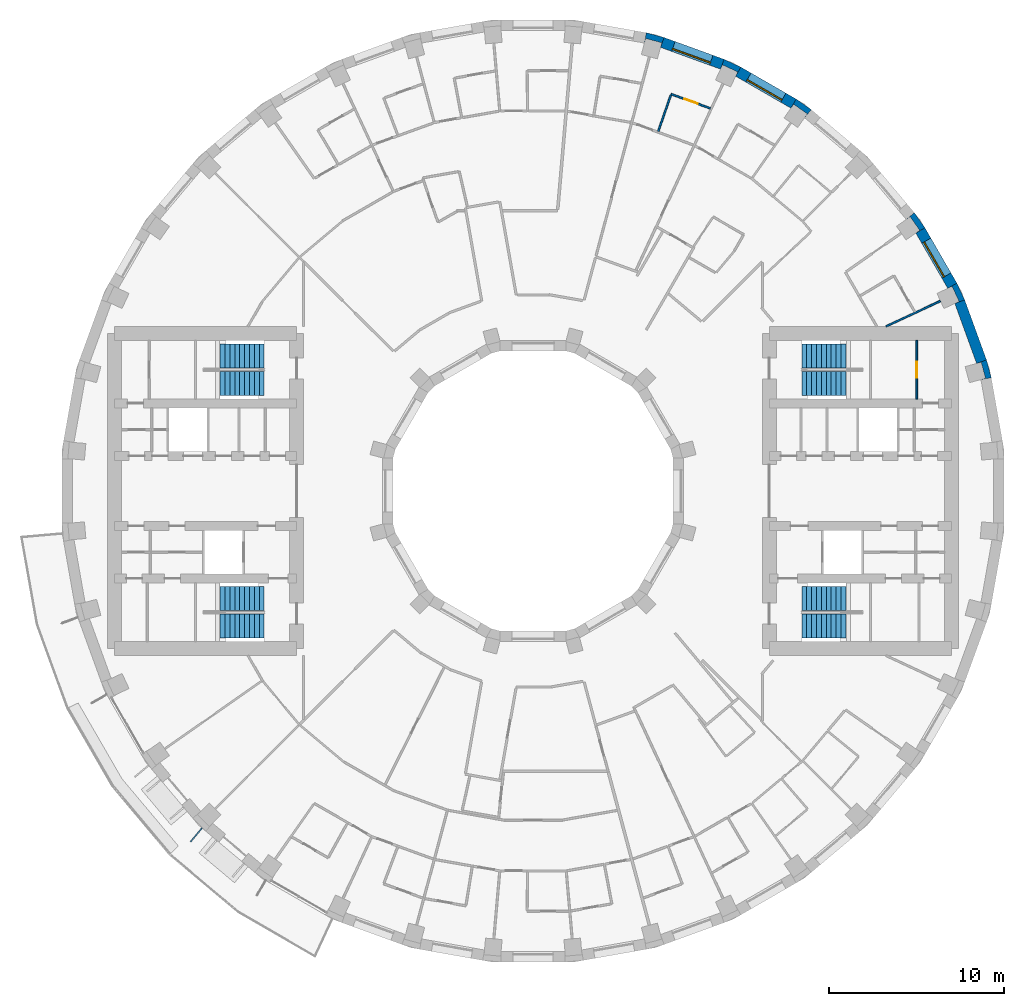
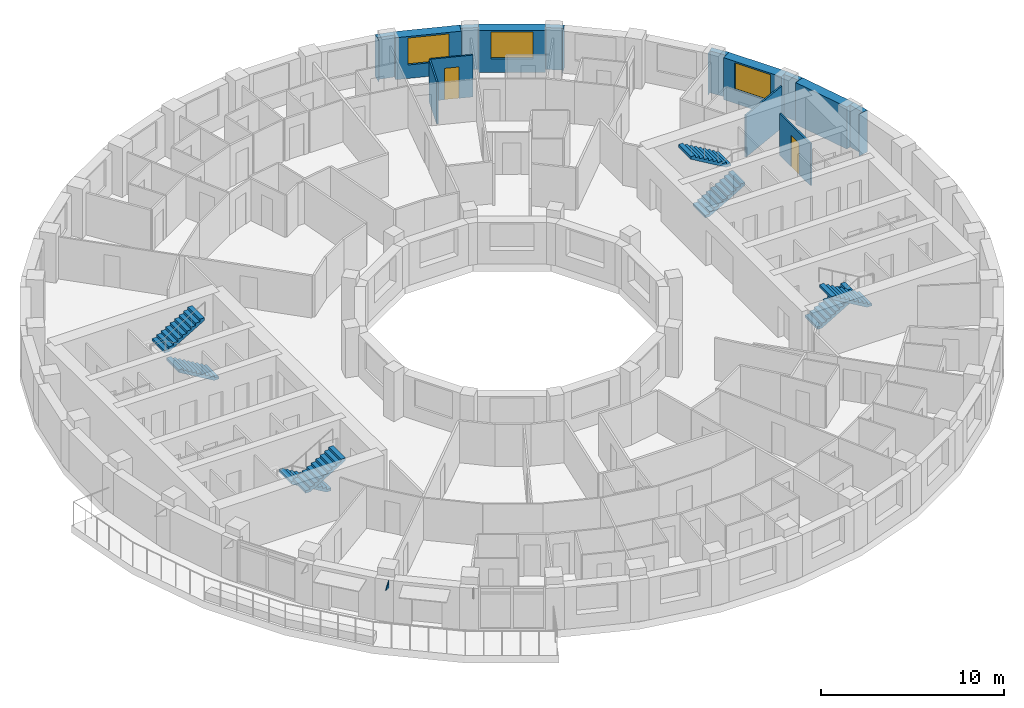
# One storey, part 14 of 16: 14 walls, 8 stair flights, 3 windows, 2 doors, 1 discrete accessory, 5 openings, 4 elements without a shape of their own.
"""IFC4 building model written with IfcOpenShell, lengths in metres."""

from ifc_helpers import new_model, si_unit, direction, frame, frame_2d, origin, place, context, subcontext, project, spatial, polyline, rectangle, outline, extrude, material, layer, layer_set, type_object, element, fill, aggregate, save


model = new_model("IFC4")

# Units and contexts
model_context = context("Model", 3, precision=1e-05, world=origin(), true_north=direction((0.0, 1.0)))
body_context = subcontext(model_context, "Body", "Model", "MODEL_VIEW")
ifc_project = project(units=[si_unit("LENGTHUNIT", "METRE"), si_unit("AREAUNIT", "SQUARE_METRE"), si_unit("VOLUMEUNIT", "CUBIC_METRE"), si_unit("PLANEANGLEUNIT", "RADIAN"), si_unit("MASSUNIT", "GRAM", prefix="KILO")], contexts=[model_context])

# Site, building, storey
site_placement = place(None, origin())
site = spatial("IfcSite", under=ifc_project, at=site_placement, CompositionType="ELEMENT")
building_placement = place(site_placement, origin())
building = spatial("IfcBuilding", under=site, at=building_placement, Name="Saqina Gate Tower", CompositionType="ELEMENT")
storey_placement = place(building_placement, frame((0.0, 0.0, 121.60009765625)))
storey = spatial("IfcBuildingStorey", under=building, at=storey_placement, Name="L34", CompositionType="ELEMENT", Elevation=121.60009765625)

# Walls
ifc_material_1 = material(Name="Brick masonry (buff)", Category="masonry")
wall_type_1 = type_object("IfcWallType", Name="BRICK PIER COPING BUFF", PredefinedType="SOLIDWALL", material=ifc_material_1)
wall_1_placement = place(storey_placement, origin())
element("IfcWall", 1, at=wall_1_placement, inside=storey, type_object=wall_type_1, Name="Pier cap L34 column 2", PredefinedType="SOLIDWALL", context=body_context, shape_type="SweptSolid", body=[
    extrude(outline(polyline([(26.171875, 6.466796875), (25.89892578125, 7.485595703125), (25.335205078125, 7.2802734375), (25.5947265625, 7.349853515625), (25.8408203125, 6.43212890625), (25.5810546875, 6.36279296875), (26.171875, 6.466796875)])), origin(), (0.0, 0.0, 1.0), 2.7998046875),
])
wall_2_placement = place(storey_placement, origin())
element("IfcWall", 2, at=wall_2_placement, inside=storey, type_object=wall_type_1, Name="Pier cap L34 column 3", PredefinedType="SOLIDWALL", context=body_context, shape_type="SweptSolid", body=[
    extrude(outline(polyline([(24.6513671875, 10.913330078125), (24.205810546875, 11.869140625), (23.68603515625, 11.569091796875), (23.9296875, 11.6826171875), (24.331298828125, 10.82177734375), (24.08740234375, 10.7080078125), (24.6513671875, 10.913330078125)])), origin(), (0.0, 0.0, 1.0), 2.7998046875),
])
wall_3_placement = place(storey_placement, origin())
element("IfcWall", 3, at=wall_3_placement, inside=storey, type_object=wall_type_1, Name="Pier cap L34 column 4", PredefinedType="SOLIDWALL", context=body_context, shape_type="SweptSolid", body=[
    extrude(outline(polyline([(21.77685546875, 15.89208984375), (21.317138671875, 15.50634765625), (21.53759765625, 15.66064453125), (22.08251953125, 14.88232421875), (21.862060546875, 14.728271484375), (22.3818359375, 15.0283203125), (21.77685546875, 15.89208984375)])), origin(), (0.0, 0.0, 1.0), 2.7998046875),
])
wall_4_placement = place(storey_placement, origin())
element("IfcWall", 4, at=wall_4_placement, inside=storey, type_object=wall_type_1, Name="Pier cap L34 column 6", PredefinedType="SOLIDWALL", context=body_context, shape_type="SweptSolid", body=[
    extrude(outline(polyline([(15.0283203125, 22.3818359375), (14.728271484375, 21.862060546875), (14.88232421875, 22.08251953125), (15.66064453125, 21.53759765625), (15.50634765625, 21.317138671875), (15.89208984375, 21.77685546875), (15.0283203125, 22.3818359375)])), origin(), (0.0, 0.0, 1.0), 2.7998046875),
])
wall_5_placement = place(storey_placement, origin())
element("IfcWall", 5, at=wall_5_placement, inside=storey, type_object=wall_type_1, Name="Pier cap L34 column 7", PredefinedType="SOLIDWALL", context=body_context, shape_type="SweptSolid", body=[
    extrude(outline(polyline([(10.913330078125, 24.6513671875), (10.7080078125, 24.08740234375), (10.82177734375, 24.331298828125), (11.6826171875, 23.9296875), (11.569091796875, 23.68603515625), (11.869140625, 24.205810546875), (10.913330078125, 24.6513671875)])), origin(), (0.0, 0.0, 1.0), 2.7998046875),
])
wall_6_placement = place(storey_placement, origin())
element("IfcWall", 6, at=wall_6_placement, inside=storey, type_object=wall_type_1, Name="Pier cap L34 column 8", PredefinedType="SOLIDWALL", context=body_context, shape_type="SweptSolid", body=[
    extrude(outline(polyline([(7.485595703125, 25.89892578125), (6.466796875, 26.171875), (6.36279296875, 25.5810546875), (6.43212890625, 25.8408203125), (7.349853515625, 25.5947265625), (7.2802734375, 25.335205078125), (7.485595703125, 25.89892578125)])), origin(), (0.0, 0.0, 1.0), 2.7998046875),
])

# Wall, opening, door
ifc_material_2 = material(Name="Gypsum board on steel studs", Category="steel")
ifc_layer_1 = layer(ifc_material_2, 0.10009765625)
ifc_layer_set_1 = layer_set([ifc_layer_1], Name="CORE PARTITION")
wall_type_2 = type_object("IfcWallType", Name="CORE PARTITION", PredefinedType="PARTITIONING", material=ifc_layer_set_1)
wall_7_placement = place(storey_placement, frame((21.91162109375, 5.25, 0.0), z_axis=(0.0, 0.0, 1.0), x_axis=(0.0, 1.0, 0.0)))
wall_7 = element("IfcWall", 7, at=wall_7_placement, inside=storey, type_object=wall_type_2, Name="L34-CP-E14", PredefinedType="PARTITIONING", context=body_context, shape_type="SweptSolid", body=[
    extrude(rectangle(XDim=3.35009765625, YDim=0.10009765625, at=frame_2d((1.675048828125, 0.0))), origin(), (0.0, 0.0, 1.0), 2.7998046875),
])
opening_1_placement = place(wall_7_placement, frame((1.22509765625, 0.0, 0.0)))
opening_1 = element("IfcOpeningElement", 8, at=opening_1_placement, cuts=wall_7, Name="Opening G10-D100", PredefinedType="OPENING", context=body_context, shape_type="SweptSolid", body=[
    extrude(rectangle(XDim=0.89990234375, YDim=2.10009765625, at=frame_2d((0.449951171875, 1.050048828125))), frame((0.0, 0.06201171875, 0.0), z_axis=(0.0, -1.0, 0.0), x_axis=(1.0, 0.0, 0.0)), (0.0, 0.0, 1.0), 0.1240234375),
])
ifc_material_3 = material(Name="Steel-framed fire door leaf, EI 60", Category="steel")
door_type_1 = type_object("IfcDoorType", Name="SERVICE ROOM DOOR 900", OperationType="SINGLE_SWING_LEFT", PredefinedType="DOOR", material=ifc_material_3)
door_1_placement = place(opening_1_placement, origin())
door_1 = element("IfcDoor", 9, at=door_1_placement, inside=storey, type_object=door_type_1, Name="L34-CD-E11", OperationType="SINGLE_SWING_RIGHT", OverallHeight=2.10009765625, OverallWidth=0.89990234375, PredefinedType="DOOR", context=body_context, shape_type="SweptSolid", body=[
    extrude(rectangle(XDim=0.89990234375, YDim=2.10009765625, at=frame_2d((0.449951171875, 1.050048828125))), frame((0.0, 0.02490234375, 0.0), z_axis=(0.0, -1.0, 0.0), x_axis=(1.0, 0.0, 0.0)), (0.0, 0.0, 1.0), 0.050048828125),
])
fill(opening_1, door_1)

# Wall, opening, window
ifc_material_4 = material(Name="Brick masonry (buff)", Category="masonry")
ifc_layer_2 = layer(ifc_material_4, 0.60009765625)
ifc_layer_set_2 = layer_set([ifc_layer_2], Name="FW-BRICK-BUFF")
wall_type_3 = type_object("IfcWallType", Name="FW-BRICK-BUFF", PredefinedType="SOLIDWALL", material=ifc_layer_set_2)
wall_8_placement = place(storey_placement, frame((23.94580078125, 11.718994140625, 0.0), z_axis=(0.0, 0.0, 1.0), x_axis=(-0.499954196102, 0.866051847062, 0.0)))
wall_8 = element("IfcWall", 10, at=wall_8_placement, inside=storey, type_object=wall_type_3, Name="Facade wall L34 facet 3", PredefinedType="SOLIDWALL", context=body_context, shape_type="SweptSolid", body=[
    extrude(rectangle(XDim=3.647705078125, YDim=0.60009765625, at=frame_2d((1.82373046875, 0.0))), origin(), (0.0, 0.0, 1.0), 2.7998046875),
])
opening_2_placement = place(wall_8_placement, frame((0.673828125, 0.0, 0.89990234375)))
opening_2 = element("IfcOpeningElement", 11, at=opening_2_placement, cuts=wall_8, Name="Opening G10-W01", PredefinedType="OPENING", context=body_context, shape_type="SweptSolid", body=[
    extrude(rectangle(XDim=2.300048828125, YDim=1.800048828125, at=frame_2d((1.14990234375, 0.89990234375))), frame((0.0, 0.31201171875, 0.0), z_axis=(0.0, -1.0, 0.0), x_axis=(1.0, 0.0, 0.0)), (0.0, 0.0, 1.0), 0.6240234375),
])
ifc_material_5 = material(Name="Aluminium glazing", Category="aluminium")
window_type = type_object("IfcWindowType", Name="WN-B", PartitioningType="SINGLE_PANEL", PredefinedType="WINDOW", material=ifc_material_5)
window_1_placement = place(opening_2_placement, origin())
window_1 = element("IfcWindow", 12, at=window_1_placement, inside=storey, type_object=window_type, Name="Window L34 facet 3", OverallHeight=1.800048828125, OverallWidth=2.300048828125, PartitioningType="SINGLE_PANEL", PredefinedType="WINDOW", context=body_context, shape_type="SweptSolid", body=[
    extrude(rectangle(XDim=2.300048828125, YDim=1.800048828125, at=frame_2d((1.14990234375, 0.89990234375))), frame((0.0, 0.179931640625, 0.0), z_axis=(0.0, -1.0, 0.0), x_axis=(1.0, 0.0, 0.0)), (0.0, 0.0, 1.0), 0.06005859375),
])
fill(opening_2, window_1)

wall_9_placement = place(storey_placement, frame((14.878173828125, 22.1220703125, 0.0), z_axis=(0.0, 0.0, 1.0), x_axis=(-0.866051847062, 0.499954196102, 0.0)))
wall_9 = element("IfcWall", 13, at=wall_9_placement, inside=storey, type_object=wall_type_3, Name="Facade wall L34 facet 6", PredefinedType="SOLIDWALL", context=body_context, shape_type="SweptSolid", body=[
    extrude(rectangle(XDim=3.647705078125, YDim=0.60009765625, at=frame_2d((1.82373046875, 0.0))), origin(), (0.0, 0.0, 1.0), 2.7998046875),
])
opening_3_placement = place(wall_9_placement, frame((0.673828125, 0.0, 0.89990234375)))
opening_3 = element("IfcOpeningElement", 14, at=opening_3_placement, cuts=wall_9, Name="Opening G10-W04", PredefinedType="OPENING", context=body_context, shape_type="SweptSolid", body=[
    extrude(rectangle(XDim=2.300048828125, YDim=1.800048828125, at=frame_2d((1.14990234375, 0.89990234375))), frame((0.0, 0.31201171875, 0.0), z_axis=(0.0, -1.0, 0.0), x_axis=(1.0, 0.0, 0.0)), (0.0, 0.0, 1.0), 0.6240234375),
])
window_2_placement = place(opening_3_placement, origin())
window_2 = element("IfcWindow", 15, at=window_2_placement, inside=storey, type_object=window_type, Name="Window L34 facet 6", OverallHeight=1.800048828125, OverallWidth=2.300048828125, PartitioningType="SINGLE_PANEL", PredefinedType="WINDOW", context=body_context, shape_type="SweptSolid", body=[
    extrude(rectangle(XDim=2.300048828125, YDim=1.800048828125, at=frame_2d((1.14990234375, 0.89990234375))), frame((0.0, 0.179931640625, 0.0), z_axis=(0.0, -1.0, 0.0), x_axis=(1.0, 0.0, 0.0)), (0.0, 0.0, 1.0), 0.06005859375),
])
fill(opening_3, window_2)

wall_10_placement = place(storey_placement, frame((10.810791015625, 24.369384765625, 0.0), z_axis=(0.0, 0.0, 1.0), x_axis=(-0.939703505393, 0.341990236633, 0.0)))
wall_10 = element("IfcWall", 16, at=wall_10_placement, inside=storey, type_object=wall_type_3, Name="Facade wall L34 facet 7", PredefinedType="SOLIDWALL", context=body_context, shape_type="SweptSolid", body=[
    extrude(rectangle(XDim=3.64794921875, YDim=0.60009765625, at=frame_2d((1.823974609375, 0.0))), origin(), (0.0, 0.0, 1.0), 2.7998046875),
])
opening_4_placement = place(wall_10_placement, frame((0.673828125, 0.0, 0.89990234375)))
opening_4 = element("IfcOpeningElement", 17, at=opening_4_placement, cuts=wall_10, Name="Opening G10-W05", PredefinedType="OPENING", context=body_context, shape_type="SweptSolid", body=[
    extrude(rectangle(XDim=2.300048828125, YDim=1.800048828125, at=frame_2d((1.14990234375, 0.89990234375))), frame((0.0, 0.31201171875, 0.0), z_axis=(0.0, -1.0, 0.0), x_axis=(1.0, 0.0, 0.0)), (0.0, 0.0, 1.0), 0.6240234375),
])
window_3_placement = place(opening_4_placement, origin())
window_3 = element("IfcWindow", 18, at=window_3_placement, inside=storey, type_object=window_type, Name="Window L34 facet 7", OverallHeight=1.800048828125, OverallWidth=2.300048828125, PartitioningType="SINGLE_PANEL", PredefinedType="WINDOW", context=body_context, shape_type="SweptSolid", body=[
    extrude(rectangle(XDim=2.300048828125, YDim=1.800048828125, at=frame_2d((1.14990234375, 0.89990234375))), frame((0.0, 0.179931640625, 0.0), z_axis=(0.0, -1.0, 0.0), x_axis=(1.0, 0.0, 0.0)), (0.0, 0.0, 1.0), 0.06005859375),
])
fill(opening_4, window_3)

# Wall
ifc_material_6 = material(Name="Glazed ceramic tile (white)", Category="ceramic")
ifc_layer_3 = layer(ifc_material_6, 0.60009765625)
ifc_layer_set_3 = layer_set([ifc_layer_3], Name="FW-TILE-WH")
wall_type_4 = type_object("IfcWallType", Name="FW-TILE-WH", PredefinedType="SOLIDWALL", material=ifc_layer_set_3)
wall_11_placement = place(storey_placement, frame((25.616943359375, 7.3828125, 0.0), z_axis=(0.0, 0.0, 1.0), x_axis=(-0.341990236633, 0.939703505393, 0.0)))
element("IfcWall", 19, at=wall_11_placement, inside=storey, type_object=wall_type_4, Name="Facade wall L34 facet 2", PredefinedType="SOLIDWALL", context=body_context, shape_type="SweptSolid", body=[
    extrude(rectangle(XDim=3.64794921875, YDim=0.60009765625, at=frame_2d((1.823974609375, 0.0))), origin(), (0.0, 0.0, 1.0), 2.7998046875),
])

# Wall, opening, door
ifc_material_7 = material(Name="Gypsum board on steel studs, 100 mm", Category="steel")
ifc_layer_4 = layer(ifc_material_7, 0.10009765625)
ifc_layer_set_4 = layer_set([ifc_layer_4], Name="PARTITION 100")
wall_type_5 = type_object("IfcWallType", Name="PARTITION 100", PredefinedType="PARTITIONING", material=ifc_layer_set_4)
wall_12_placement = place(storey_placement, frame((7.888916015625, 22.666015625, 0.0), z_axis=(0.0, 0.0, 1.0), x_axis=(0.939679950861, -0.342054951652, 0.0)))
wall_12 = element("IfcWall", 20, at=wall_12_placement, inside=storey, type_object=wall_type_5, Name="PARTITION PW3-44", PredefinedType="PARTITIONING", context=body_context, shape_type="SweptSolid", body=[
    extrude(rectangle(XDim=2.38818359375, YDim=0.10009765625, at=frame_2d((1.194091796875, 0.0))), origin(), (0.0, 0.0, 1.0), 2.7998046875),
])
opening_5_placement = place(wall_12_placement, frame((0.819091796875, 0.0, 0.0)))
opening_5 = element("IfcOpeningElement", 21, at=opening_5_placement, cuts=wall_12, Name="Opening G10-D11", PredefinedType="OPENING", context=body_context, shape_type="SweptSolid", body=[
    extrude(rectangle(XDim=0.800048828125, YDim=2.10009765625, at=frame_2d((0.39990234375, 1.050048828125))), frame((0.0, 0.06201171875, 0.0), z_axis=(0.0, -1.0, 0.0), x_axis=(1.0, 0.0, 0.0)), (0.0, 0.0, 1.0), 0.1240234375),
])
ifc_material_8 = material(Name="Timber door leaf, 800 mm", Category="wood")
door_type_2 = type_object("IfcDoorType", Name="DOOR 800 TIMBER", OperationType="SINGLE_SWING_LEFT", PredefinedType="DOOR", material=ifc_material_8)
door_2_placement = place(opening_5_placement, origin())
door_2 = element("IfcDoor", 22, at=door_2_placement, inside=storey, type_object=door_type_2, Name="DOOR G10-D11", OperationType="SINGLE_SWING_RIGHT", OverallHeight=2.10009765625, OverallWidth=0.800048828125, PredefinedType="DOOR", context=body_context, shape_type="SweptSolid", body=[
    extrude(rectangle(XDim=0.800048828125, YDim=2.10009765625, at=frame_2d((0.39990234375, 1.050048828125))), frame((0.0, 0.02490234375, 0.0), z_axis=(0.0, -1.0, 0.0), x_axis=(1.0, 0.0, 0.0)), (0.0, 0.0, 1.0), 0.050048828125),
])
fill(opening_5, door_2)

# Walls
wall_13_placement = place(storey_placement, frame((20.158447265625, 9.399169921875, 0.0), z_axis=(0.0, 0.0, 1.0), x_axis=(0.906223222272, 0.422799564114, 0.0)))
element("IfcWall", 23, at=wall_13_placement, inside=storey, type_object=wall_type_5, Name="PARTITION PW3-68", PredefinedType="PARTITIONING", context=body_context, shape_type="SweptSolid", body=[
    extrude(rectangle(XDim=3.423095703125, YDim=0.10009765625, at=frame_2d((1.71142578125, 0.0))), origin(), (0.0, 0.0, 1.0), 2.7998046875),
])
wall_14_placement = place(storey_placement, frame((7.1494140625, 20.541259765625, 0.0), z_axis=(0.0, 0.0, 1.0), x_axis=(0.328718620018, 0.944427905588, 0.0)))
element("IfcWall", 24, at=wall_14_placement, inside=storey, type_object=wall_type_5, Name="PARTITION PW3-100", PredefinedType="PARTITIONING", context=body_context, shape_type="SweptSolid", body=[
    extrude(rectangle(XDim=2.199951171875, YDim=0.10009765625, at=frame_2d((1.10009765625, 0.0))), origin(), (0.0, 0.0, 1.0), 2.7998046875),
])

# Stair, stair flights
ifc_material_9 = material(Name="Concrete C40/50", Category="concrete")
stair_type = type_object("IfcStairType", Name="EXIT STAIR", PredefinedType="HALF_TURN_STAIR", material=ifc_material_9)
stair_1_placement = place(storey_placement, origin())
stair_1 = element("IfcStair", 25, at=stair_1_placement, inside=storey, type_object=stair_type, Name="EXIT STAIR 1", PredefinedType="HALF_TURN_STAIR")
ifc_material_10 = material(Name="Concrete C40/50", Category="concrete")
stair_flight_type = type_object("IfcStairFlightType", Name="EXIT STAIR FLIGHT", PredefinedType="STRAIGHT", material=ifc_material_10)
stair_flight_1_placement = place(storey_placement, frame((15.35009765625, 6.1416015625, 0.0), z_axis=(0.0, 0.0, 1.0), x_axis=(1.0, 0.0, 0.0)))
stair_flight_1 = element("IfcStairFlight", 26, at=stair_flight_1_placement, type_object=stair_flight_type, Name="EXIT STAIR 1 FLIGHT 1", NumberOfRisers=10, NumberOfTreads=9, PredefinedType="STRAIGHT", RiserHeight=0.165, TreadLength=0.28, context=body_context, shape_type="SweptSolid", body=[
    extrude(outline(polyline([(0.0, 0.0), (0.0, 0.1650390625), (0.280029296875, 0.1650390625), (0.280029296875, 0.330078125), (0.56005859375, 0.330078125), (0.56005859375, 0.4951171875), (0.840087890625, 0.4951171875), (0.840087890625, 0.659912109375), (1.1201171875, 0.659912109375), (1.1201171875, 0.824951171875), (1.39990234375, 0.824951171875), (1.39990234375, 0.989990234375), (1.679931640625, 0.989990234375), (1.679931640625, 1.155029296875), (1.9599609375, 1.155029296875), (1.9599609375, 1.320068359375), (2.239990234375, 1.320068359375), (2.239990234375, 1.485107421875), (2.52001953125, 1.485107421875), (2.52001953125, 1.64990234375), (2.52001953125, 1.31103515625), (0.295166015625, 0.0), (0.0, 0.0)])), frame((0.0, 0.675048828125, 0.0), z_axis=(0.0, -1.0, 0.0), x_axis=(1.0, 0.0, 0.0)), (0.0, 0.0, 1.0), 1.35009765625),
])
stair_flight_2_placement = place(storey_placement, frame((17.8701171875, 7.708251953125, 1.64990234375), z_axis=(0.0, 0.0, 1.0), x_axis=(-1.0, 0.0, 0.0)))
stair_flight_2 = element("IfcStairFlight", 27, at=stair_flight_2_placement, type_object=stair_flight_type, Name="EXIT STAIR 1 FLIGHT 2", NumberOfRisers=10, NumberOfTreads=9, PredefinedType="STRAIGHT", RiserHeight=0.165, TreadLength=0.28, context=body_context, shape_type="SweptSolid", body=[
    extrude(outline(polyline([(0.0, 0.0), (0.0, 0.1650390625), (0.280029296875, 0.1650390625), (0.280029296875, 0.330078125), (0.56005859375, 0.330078125), (0.56005859375, 0.4951171875), (0.840087890625, 0.4951171875), (0.840087890625, 0.659912109375), (1.1201171875, 0.659912109375), (1.1201171875, 0.824951171875), (1.39990234375, 0.824951171875), (1.39990234375, 0.989990234375), (1.679931640625, 0.989990234375), (1.679931640625, 1.155029296875), (1.9599609375, 1.155029296875), (1.9599609375, 1.320068359375), (2.239990234375, 1.320068359375), (2.239990234375, 1.485107421875), (2.52001953125, 1.485107421875), (2.52001953125, 1.64990234375), (2.52001953125, 1.31103515625), (0.295166015625, 0.0), (0.0, 0.0)])), frame((0.0, 0.675048828125, 0.0), z_axis=(0.0, -1.0, 0.0), x_axis=(1.0, 0.0, 0.0)), (0.0, 0.0, 1.0), 1.35009765625),
])
aggregate(stair_1, [stair_flight_1, stair_flight_2])

stair_2_placement = place(storey_placement, origin())
stair_2 = element("IfcStair", 28, at=stair_2_placement, inside=storey, type_object=stair_type, Name="EXIT STAIR 2", PredefinedType="HALF_TURN_STAIR")
stair_flight_3_placement = place(storey_placement, frame((15.35009765625, -6.1416015625, 0.0), z_axis=(0.0, 0.0, 1.0), x_axis=(1.0, 0.0, 0.0)))
stair_flight_3 = element("IfcStairFlight", 29, at=stair_flight_3_placement, type_object=stair_flight_type, Name="EXIT STAIR 2 FLIGHT 1", NumberOfRisers=10, NumberOfTreads=9, PredefinedType="STRAIGHT", RiserHeight=0.165, TreadLength=0.28, context=body_context, shape_type="SweptSolid", body=[
    extrude(outline(polyline([(0.0, 0.0), (0.0, 0.1650390625), (0.280029296875, 0.1650390625), (0.280029296875, 0.330078125), (0.56005859375, 0.330078125), (0.56005859375, 0.4951171875), (0.840087890625, 0.4951171875), (0.840087890625, 0.659912109375), (1.1201171875, 0.659912109375), (1.1201171875, 0.824951171875), (1.39990234375, 0.824951171875), (1.39990234375, 0.989990234375), (1.679931640625, 0.989990234375), (1.679931640625, 1.155029296875), (1.9599609375, 1.155029296875), (1.9599609375, 1.320068359375), (2.239990234375, 1.320068359375), (2.239990234375, 1.485107421875), (2.52001953125, 1.485107421875), (2.52001953125, 1.64990234375), (2.52001953125, 1.31103515625), (0.295166015625, 0.0), (0.0, 0.0)])), frame((0.0, 0.675048828125, 0.0), z_axis=(0.0, -1.0, 0.0), x_axis=(1.0, 0.0, 0.0)), (0.0, 0.0, 1.0), 1.35009765625),
])
stair_flight_4_placement = place(storey_placement, frame((17.8701171875, -7.708251953125, 1.64990234375), z_axis=(0.0, 0.0, 1.0), x_axis=(-1.0, 0.0, 0.0)))
stair_flight_4 = element("IfcStairFlight", 30, at=stair_flight_4_placement, type_object=stair_flight_type, Name="EXIT STAIR 2 FLIGHT 2", NumberOfRisers=10, NumberOfTreads=9, PredefinedType="STRAIGHT", RiserHeight=0.165, TreadLength=0.28, context=body_context, shape_type="SweptSolid", body=[
    extrude(outline(polyline([(0.0, 0.0), (0.0, 0.1650390625), (0.280029296875, 0.1650390625), (0.280029296875, 0.330078125), (0.56005859375, 0.330078125), (0.56005859375, 0.4951171875), (0.840087890625, 0.4951171875), (0.840087890625, 0.659912109375), (1.1201171875, 0.659912109375), (1.1201171875, 0.824951171875), (1.39990234375, 0.824951171875), (1.39990234375, 0.989990234375), (1.679931640625, 0.989990234375), (1.679931640625, 1.155029296875), (1.9599609375, 1.155029296875), (1.9599609375, 1.320068359375), (2.239990234375, 1.320068359375), (2.239990234375, 1.485107421875), (2.52001953125, 1.485107421875), (2.52001953125, 1.64990234375), (2.52001953125, 1.31103515625), (0.295166015625, 0.0), (0.0, 0.0)])), frame((0.0, 0.675048828125, 0.0), z_axis=(0.0, -1.0, 0.0), x_axis=(1.0, 0.0, 0.0)), (0.0, 0.0, 1.0), 1.35009765625),
])
aggregate(stair_2, [stair_flight_3, stair_flight_4])

stair_3_placement = place(storey_placement, origin())
stair_3 = element("IfcStair", 31, at=stair_3_placement, inside=storey, type_object=stair_type, Name="EXIT STAIR 3", PredefinedType="HALF_TURN_STAIR")
stair_flight_5_placement = place(storey_placement, frame((-15.35009765625, 6.1416015625, 0.0), z_axis=(0.0, 0.0, 1.0), x_axis=(-1.0, 0.0, 0.0)))
stair_flight_5 = element("IfcStairFlight", 32, at=stair_flight_5_placement, type_object=stair_flight_type, Name="EXIT STAIR 3 FLIGHT 1", NumberOfRisers=10, NumberOfTreads=9, PredefinedType="STRAIGHT", RiserHeight=0.165, TreadLength=0.28, context=body_context, shape_type="SweptSolid", body=[
    extrude(outline(polyline([(0.0, 0.0), (0.0, 0.1650390625), (0.280029296875, 0.1650390625), (0.280029296875, 0.330078125), (0.56005859375, 0.330078125), (0.56005859375, 0.4951171875), (0.840087890625, 0.4951171875), (0.840087890625, 0.659912109375), (1.1201171875, 0.659912109375), (1.1201171875, 0.824951171875), (1.39990234375, 0.824951171875), (1.39990234375, 0.989990234375), (1.679931640625, 0.989990234375), (1.679931640625, 1.155029296875), (1.9599609375, 1.155029296875), (1.9599609375, 1.320068359375), (2.239990234375, 1.320068359375), (2.239990234375, 1.485107421875), (2.52001953125, 1.485107421875), (2.52001953125, 1.64990234375), (2.52001953125, 1.31103515625), (0.295166015625, 0.0), (0.0, 0.0)])), frame((0.0, 0.675048828125, 0.0), z_axis=(0.0, -1.0, 0.0), x_axis=(1.0, 0.0, 0.0)), (0.0, 0.0, 1.0), 1.35009765625),
])
stair_flight_6_placement = place(storey_placement, frame((-17.8701171875, 7.708251953125, 1.64990234375), z_axis=(0.0, 0.0, 1.0), x_axis=(1.0, 0.0, 0.0)))
stair_flight_6 = element("IfcStairFlight", 33, at=stair_flight_6_placement, type_object=stair_flight_type, Name="EXIT STAIR 3 FLIGHT 2", NumberOfRisers=10, NumberOfTreads=9, PredefinedType="STRAIGHT", RiserHeight=0.165, TreadLength=0.28, context=body_context, shape_type="SweptSolid", body=[
    extrude(outline(polyline([(0.0, 0.0), (0.0, 0.1650390625), (0.280029296875, 0.1650390625), (0.280029296875, 0.330078125), (0.56005859375, 0.330078125), (0.56005859375, 0.4951171875), (0.840087890625, 0.4951171875), (0.840087890625, 0.659912109375), (1.1201171875, 0.659912109375), (1.1201171875, 0.824951171875), (1.39990234375, 0.824951171875), (1.39990234375, 0.989990234375), (1.679931640625, 0.989990234375), (1.679931640625, 1.155029296875), (1.9599609375, 1.155029296875), (1.9599609375, 1.320068359375), (2.239990234375, 1.320068359375), (2.239990234375, 1.485107421875), (2.52001953125, 1.485107421875), (2.52001953125, 1.64990234375), (2.52001953125, 1.31103515625), (0.295166015625, 0.0), (0.0, 0.0)])), frame((0.0, 0.675048828125, 0.0), z_axis=(0.0, -1.0, 0.0), x_axis=(1.0, 0.0, 0.0)), (0.0, 0.0, 1.0), 1.35009765625),
])
aggregate(stair_3, [stair_flight_5, stair_flight_6])

stair_4_placement = place(storey_placement, origin())
stair_4 = element("IfcStair", 34, at=stair_4_placement, inside=storey, type_object=stair_type, Name="EXIT STAIR 4", PredefinedType="HALF_TURN_STAIR")
stair_flight_7_placement = place(storey_placement, frame((-15.35009765625, -6.1416015625, 0.0), z_axis=(0.0, 0.0, 1.0), x_axis=(-1.0, 0.0, 0.0)))
stair_flight_7 = element("IfcStairFlight", 35, at=stair_flight_7_placement, type_object=stair_flight_type, Name="EXIT STAIR 4 FLIGHT 1", NumberOfRisers=10, NumberOfTreads=9, PredefinedType="STRAIGHT", RiserHeight=0.165, TreadLength=0.28, context=body_context, shape_type="SweptSolid", body=[
    extrude(outline(polyline([(0.0, 0.0), (0.0, 0.1650390625), (0.280029296875, 0.1650390625), (0.280029296875, 0.330078125), (0.56005859375, 0.330078125), (0.56005859375, 0.4951171875), (0.840087890625, 0.4951171875), (0.840087890625, 0.659912109375), (1.1201171875, 0.659912109375), (1.1201171875, 0.824951171875), (1.39990234375, 0.824951171875), (1.39990234375, 0.989990234375), (1.679931640625, 0.989990234375), (1.679931640625, 1.155029296875), (1.9599609375, 1.155029296875), (1.9599609375, 1.320068359375), (2.239990234375, 1.320068359375), (2.239990234375, 1.485107421875), (2.52001953125, 1.485107421875), (2.52001953125, 1.64990234375), (2.52001953125, 1.31103515625), (0.295166015625, 0.0), (0.0, 0.0)])), frame((0.0, 0.675048828125, 0.0), z_axis=(0.0, -1.0, 0.0), x_axis=(1.0, 0.0, 0.0)), (0.0, 0.0, 1.0), 1.35009765625),
])
stair_flight_8_placement = place(storey_placement, frame((-17.8701171875, -7.708251953125, 1.64990234375), z_axis=(0.0, 0.0, 1.0), x_axis=(1.0, 0.0, 0.0)))
stair_flight_8 = element("IfcStairFlight", 36, at=stair_flight_8_placement, type_object=stair_flight_type, Name="EXIT STAIR 4 FLIGHT 2", NumberOfRisers=10, NumberOfTreads=9, PredefinedType="STRAIGHT", RiserHeight=0.165, TreadLength=0.28, context=body_context, shape_type="SweptSolid", body=[
    extrude(outline(polyline([(0.0, 0.0), (0.0, 0.1650390625), (0.280029296875, 0.1650390625), (0.280029296875, 0.330078125), (0.56005859375, 0.330078125), (0.56005859375, 0.4951171875), (0.840087890625, 0.4951171875), (0.840087890625, 0.659912109375), (1.1201171875, 0.659912109375), (1.1201171875, 0.824951171875), (1.39990234375, 0.824951171875), (1.39990234375, 0.989990234375), (1.679931640625, 0.989990234375), (1.679931640625, 1.155029296875), (1.9599609375, 1.155029296875), (1.9599609375, 1.320068359375), (2.239990234375, 1.320068359375), (2.239990234375, 1.485107421875), (2.52001953125, 1.485107421875), (2.52001953125, 1.64990234375), (2.52001953125, 1.31103515625), (0.295166015625, 0.0), (0.0, 0.0)])), frame((0.0, 0.675048828125, 0.0), z_axis=(0.0, -1.0, 0.0), x_axis=(1.0, 0.0, 0.0)), (0.0, 0.0, 1.0), 1.35009765625),
])
aggregate(stair_4, [stair_flight_7, stair_flight_8])

# Discrete accessory
ifc_material_11 = material(Name="Galvanised steel", Category="steel")
ifc_layer_5 = layer(ifc_material_11, 0.050048828125)
ifc_layer_set_5 = layer_set([ifc_layer_5], Name="BR-GUSSET")
discrete_accessory_type = type_object("IfcDiscreteAccessoryType", Name="BR-GUSSET", PredefinedType="BRACKET", material=ifc_layer_set_5)
discrete_accessory_placement = place(storey_placement, frame((-18.881103515625, -19.2685546875, 2.2998046875), z_axis=(0.766055819685, -0.64277405138, 0.0), x_axis=(0.0, 0.0, 1.0)))
element("IfcDiscreteAccessory", 37, at=discrete_accessory_placement, inside=storey, type_object=discrete_accessory_type, Name="Terrace slab bracket L35 4", PredefinedType="BRACKET", context=body_context, shape_type="SweptSolid", body=[
    extrude(outline(polyline([(0.0, 0.0), (0.5, 0.0), (0.5, 1.0000750096322275), (0.0, 0.0)])), origin(), (0.0, 0.0, -1.0), 0.050048828125),
])

save(model, "model.ifc")
